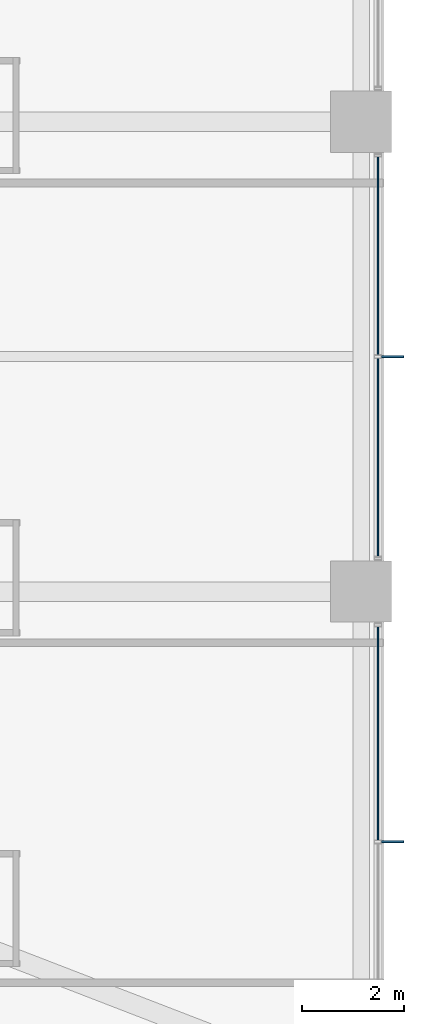
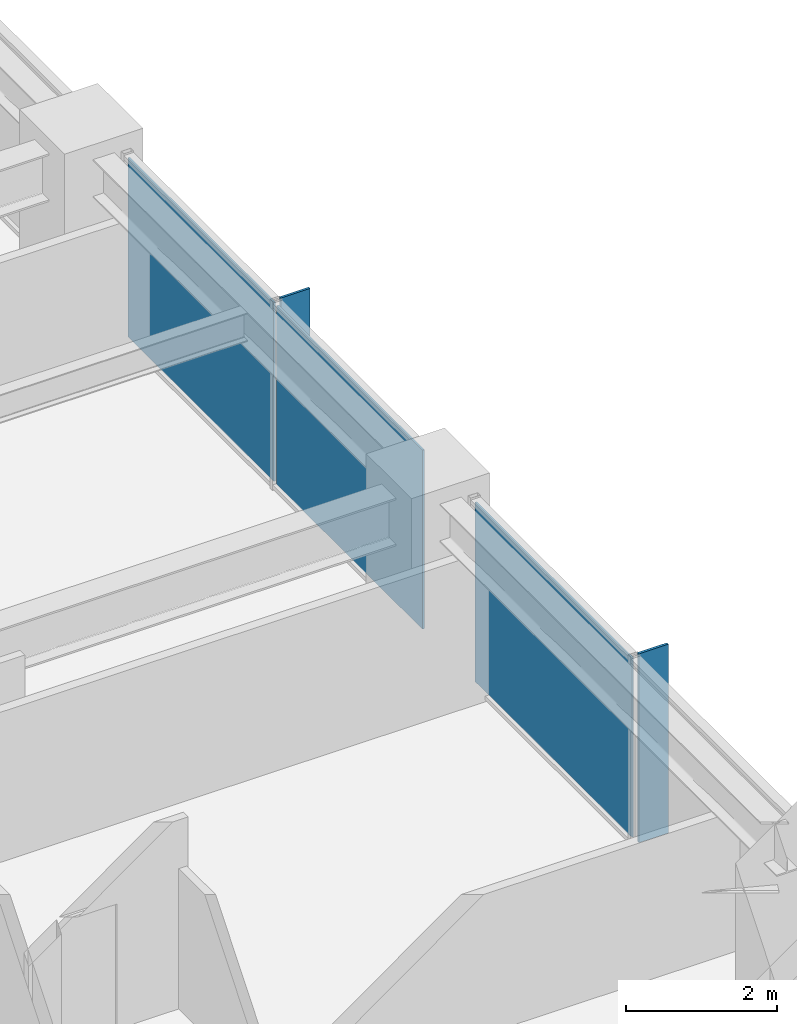
# One storey, part 29 of 38: 5 plates, 2 elements without a shape of their own.
"""IFC4 building model written with IfcOpenShell, lengths in metres."""

from ifc_helpers import new_model, si_unit, direction, frame, origin, origin_2d, place, context, subcontext, project, spatial, rectangle, extrude, material, layer, layer_set, type_object, element, aggregate, save


model = new_model("IFC4")

# Units and contexts
model_context = context("Model", 3, precision=1e-05, world=origin(), true_north=direction((0.0, 1.0)))
body_context = subcontext(model_context, "Body", "Model", "MODEL_VIEW")
ifc_project = project(units=[si_unit("LENGTHUNIT", "METRE"), si_unit("AREAUNIT", "SQUARE_METRE"), si_unit("VOLUMEUNIT", "CUBIC_METRE"), si_unit("PLANEANGLEUNIT", "RADIAN"), si_unit("MASSUNIT", "GRAM", prefix="KILO")], contexts=[model_context])

# Site, building, storey
site_placement = place(None, origin())
site = spatial("IfcSite", under=ifc_project, at=site_placement, CompositionType="ELEMENT")
building_placement = place(site_placement, origin())
building = spatial("IfcBuilding", under=site, at=building_placement, Name="Kolvaren Belvedere", CompositionType="ELEMENT")
storey_placement = place(building_placement, frame((0.0, 0.0, 30.39990234375)))
storey = spatial("IfcBuildingStorey", under=building, at=storey_placement, Name="L08", CompositionType="ELEMENT", Elevation=30.39990234375)

# Curtain wall, plates
ifc_material_1 = material(Name="Anodised pale-metal aluminium AA 6063-T6", Category="aluminium")
curtain_wall_type = type_object("IfcCurtainWallType", Name="CW-Z1-LOW", PredefinedType="NOTDEFINED", material=ifc_material_1)
curtain_wall_1_placement = place(storey_placement, origin())
curtain_wall_1 = element("IfcCurtainWall", 1, at=curtain_wall_1_placement, inside=storey, type_object=curtain_wall_type, Name="L08 Unitised Curtain Wall FCW-L08-E-B2", PredefinedType="NOTDEFINED")
ifc_material_2 = material(Name="Low-iron triple insulated glass", Category="glass")
ifc_layer_1 = layer(ifc_material_2, 0.028076171875)
ifc_layer_set_1 = layer_set([ifc_layer_1], Name="Low-iron triple insulated glass")
plate_type_1 = type_object("IfcPlateType", Name="CW-PNL-VIS28", PredefinedType="CURTAIN_PANEL", material=ifc_layer_set_1)
plate_1_placement = place(storey_placement, frame((21.8798828125, 1.972412109375, 0.080078125), z_axis=(0.0, 0.0, 1.0), x_axis=(0.0, -1.0, 0.0)))
plate_1 = element("IfcPlate", 2, at=plate_1_placement, type_object=plate_type_1, Name="FCW-L08-E-B2 Vision Glazing Panel 1", PredefinedType="CURTAIN_PANEL", context=body_context, shape_type="SweptSolid", body=[
    extrude(rectangle(XDim=3.864990234375, YDim=0.028076171875, at=origin_2d()), origin(), (0.0, 0.0, 1.0), 2.89990234375),
])
plate_2_placement = place(storey_placement, frame((21.8798828125, -1.972412109375, 0.080078125), z_axis=(0.0, 0.0, 1.0), x_axis=(0.0, -1.0, 0.0)))
plate_2 = element("IfcPlate", 3, at=plate_2_placement, type_object=plate_type_1, Name="FCW-L08-E-B2 Vision Glazing Panel 2", PredefinedType="CURTAIN_PANEL", context=body_context, shape_type="SweptSolid", body=[
    extrude(rectangle(XDim=3.864990234375, YDim=0.028076171875, at=origin_2d()), origin(), (0.0, 0.0, 1.0), 2.89990234375),
])
aggregate(curtain_wall_1, [plate_1, plate_2])

# Curtain wall, plate
curtain_wall_2_placement = place(storey_placement, origin())
curtain_wall_2 = element("IfcCurtainWall", 4, at=curtain_wall_2_placement, inside=storey, type_object=curtain_wall_type, Name="L08 Unitised Curtain Wall FCW-L08-E-B3", PredefinedType="NOTDEFINED")
plate_3_placement = place(storey_placement, frame((21.8798828125, -7.37744140625, 0.080078125), z_axis=(0.0, 0.0, 1.0), x_axis=(0.0, -1.0, 0.0)))
plate_3 = element("IfcPlate", 5, at=plate_3_placement, type_object=plate_type_1, Name="FCW-L08-E-B3 Vision Glazing Panel 1", PredefinedType="CURTAIN_PANEL", context=body_context, shape_type="SweptSolid", body=[
    extrude(rectangle(XDim=4.1650390625, YDim=0.028076171875, at=origin_2d()), origin(), (0.0, 0.0, 1.0), 2.89990234375),
])
aggregate(curtain_wall_2, [plate_3])

# Plates
ifc_material_3 = material(Name="Anodised pale-metal aluminium AA 6063-T6", Category="aluminium")
ifc_layer_2 = layer(ifc_material_3, 0.0380859375)
ifc_layer_set_2 = layer_set([ifc_layer_2], Name="Anodised pale-metal aluminium AA 6063-T6")
plate_type_2 = type_object("IfcPlateType", Name="FIN-VERT-450", PredefinedType="USERDEFINED", material=ifc_layer_set_2)
for number, where, z_axis, x_axis, name in (
    (6, (22.1650390625, 0.0, 0.0), (0.0, 0.0, 1.0), (1.0, 0.0, 0.0), "L08 Pale-Metal Vertical Shading Fin FCW-L08-E-B2-1"),
    (7, (22.1650390625, -9.5, 0.0), (0.0, 0.0, 1.0), (1.0, 0.0, 0.0), "L08 Pale-Metal Vertical Shading Fin FCW-L08-E-B3-1"),
):
    element("IfcPlate", number, at=place(storey_placement, frame(where, z_axis=z_axis, x_axis=x_axis)), inside=storey, type_object=plate_type_2, Name=name, ObjectType="VERTICAL FIN", PredefinedType="USERDEFINED", context=body_context, shape_type="SweptSolid", body=[
        extrude(rectangle(XDim=0.449951171875, YDim=0.0380859375, at=origin_2d()), origin(), (0.0, 0.0, 1.0), 3.06005859375),
    ])

save(model, "model.ifc")
